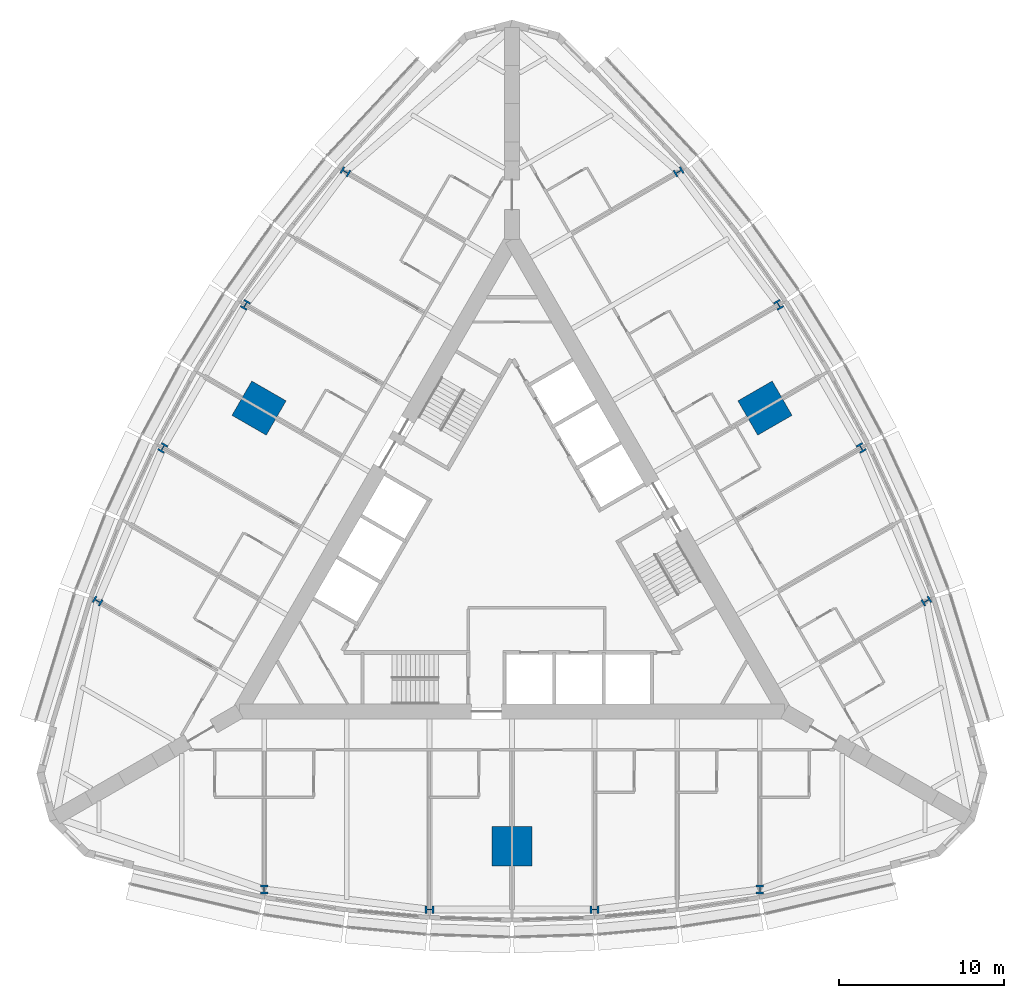
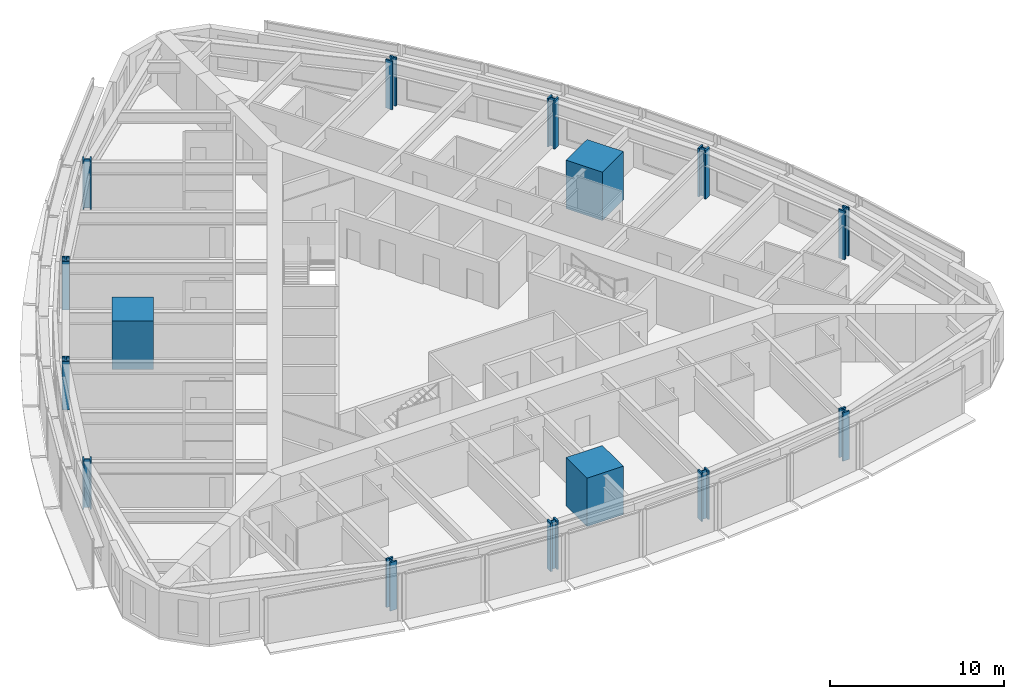
# One storey, part 1 of 14: 15 columns.
"""IFC4 building model written with IfcOpenShell, lengths in metres."""

import ifcopenshell
import ifcopenshell.guid

model = None  # the IFC model being written
_history = None  # IfcOwnerHistory: only IFC2X3 demands one
_inside = {}  # id of a spatial element -> (the spatial element, [elements in it])
_under = {}  # id of a project, library or spatial element -> (it, [spatial elements below it])
_declared = {}  # id of a project -> (the project, [libraries it declares])
_typed = {}  # id of a type object -> (the type object, [elements of that type])
_made_of = {}  # id of a material, layer set ... -> (it, [elements and type objects made of it])


def new_model(schema):
    """Start an empty IFC model of exactly this schema.

    Asked for "IFC4X3", IfcOpenShell would pick the latest addendum, in which some entities
    have other attributes; the version numbers below select the first issue.
    IFC2X3 requires an IfcOwnerHistory on every rooted entity: one is made here for all.
    """
    global model, _history
    if schema == "IFC4X3":
        model = ifcopenshell.file(schema_version=(4, 3, 0, 0))
    else:
        model = ifcopenshell.file(schema=schema)
    _inside.clear()
    _under.clear()
    _declared.clear()
    _typed.clear()
    _made_of.clear()
    _history = None
    if model.schema == "IFC2X3":
        org = make("IfcOrganization", Name="unknown")
        user = make(
            "IfcPersonAndOrganization",
            ThePerson=make("IfcPerson", FamilyName="unknown"),
            TheOrganization=org,
        )
        app = make(
            "IfcApplication",
            ApplicationDeveloper=org,
            Version="unknown",
            ApplicationFullName="unknown",
            ApplicationIdentifier="unknown",
        )
        _history = make(
            "IfcOwnerHistory",
            OwningUser=user,
            OwningApplication=app,
            ChangeAction="ADDED",
            CreationDate=0,
        )
    return model


def make(cls, **values):
    """One entity of the class cls with the attributes given. An attribute that is None is left unset."""
    return model.create_entity(
        cls, **{name: value for name, value in values.items() if value is not None}
    )


def rooted(cls, **values):
    """An entity with a GlobalId (a new one), such as an element, a storey or a relation."""
    return make(cls, GlobalId=ifcopenshell.guid.new(), OwnerHistory=_history, **values)


def si_unit(unit_type, name, prefix=None):
    """IfcSIUnit, for example si_unit("LENGTHUNIT", "METRE", prefix="MILLI")."""
    return make("IfcSIUnit", UnitType=unit_type, Prefix=prefix, Name=name)


def assignment(units):
    """IfcUnitAssignment: the units of a project."""
    return None if units is None else make("IfcUnitAssignment", Units=units)


def point(xyz):
    """IfcCartesianPoint."""
    return None if xyz is None else make("IfcCartesianPoint", Coordinates=xyz)


def direction(xyz):
    """IfcDirection."""
    return None if xyz is None else make("IfcDirection", DirectionRatios=xyz)


def frame(location, z_axis=None, x_axis=None):
    """IfcAxis2Placement3D, a coordinate frame: its origin and axes. An axis left out is left unset."""
    return make(
        "IfcAxis2Placement3D",
        Location=point(location),
        Axis=direction(z_axis),
        RefDirection=direction(x_axis),
    )


def frame_2d(location, x_axis=None):
    """IfcAxis2Placement2D, a coordinate frame in the plane: its origin and x axis."""
    return make(
        "IfcAxis2Placement2D", Location=point(location), RefDirection=direction(x_axis)
    )


def origin():
    """The frame at (0, 0, 0) with its axes left unset."""
    return frame((0.0, 0.0, 0.0))


def origin_2d():
    """The frame at (0, 0) in the plane with its x axis left unset."""
    return frame_2d((0.0, 0.0))


def place(relative_to, where):
    """IfcLocalPlacement: puts the frame where relative to a parent placement (None: the world)."""
    return make(
        "IfcLocalPlacement", PlacementRelTo=relative_to, RelativePlacement=where
    )


def context(
    kind, dimensions, precision=None, world=None, true_north=None, identifier=None
):
    """IfcGeometricRepresentationContext, for example the 3D "Model" context."""
    return make(
        "IfcGeometricRepresentationContext",
        ContextIdentifier=identifier,
        ContextType=kind,
        CoordinateSpaceDimension=dimensions,
        Precision=precision,
        WorldCoordinateSystem=world,
        TrueNorth=true_north,
    )


def subcontext(parent, identifier, kind, view, scale=None):
    """IfcGeometricRepresentationSubContext, for example "Body" below "Model"."""
    return make(
        "IfcGeometricRepresentationSubContext",
        ContextIdentifier=identifier,
        ContextType=kind,
        ParentContext=parent,
        TargetScale=scale,
        TargetView=view,
    )


def project(units=None, contexts=None):
    """IfcProject with its units and contexts."""
    return rooted(
        "IfcProject",
        Name="project",
        RepresentationContexts=contexts,
        UnitsInContext=assignment(units),
    )


def spatial(cls, under=None, at=None, **own):
    """A site, building, storey or space (cls), placed at a placement, below another one or the project."""
    s = rooted(cls, ObjectPlacement=at, **own)
    if under is not None:
        _under.setdefault(under.id(), (under, []))[1].append(s)
    return s


def profile(cls, at=None, kind="AREA", **sizes):
    """A parametric profile (cls). Its sizes go by their IFC names, for example OverallWidth=200.0."""
    return make(cls, ProfileType=kind, Position=at, **sizes)


def rectangle(**sizes):
    """IfcRectangleProfileDef."""
    return profile("IfcRectangleProfileDef", **sizes)


def i_section(**sizes):
    """IfcIShapeProfileDef."""
    return profile("IfcIShapeProfileDef", **sizes)


def extrude(swept, where, along, depth):
    """IfcExtrudedAreaSolid: the profile swept, set in the frame where, extruded along a direction by depth."""
    return make(
        "IfcExtrudedAreaSolid",
        SweptArea=swept,
        Position=where,
        ExtrudedDirection=direction(along),
        Depth=depth,
    )


def shape(context_of_items, identifier, shape_type, items):
    """IfcShapeRepresentation: the items that make up one representation, for example the "Body"."""
    return make(
        "IfcShapeRepresentation",
        ContextOfItems=context_of_items,
        RepresentationIdentifier=identifier,
        RepresentationType=shape_type,
        Items=items,
    )


def material(Name=None, Category=None):
    """IfcMaterial."""
    return make("IfcMaterial", Name=Name, Category=Category)


def material_profile(
    of_material, cross_section, Name=None, Category=None, Priority=None
):
    """IfcMaterialProfile: a cross section and its material."""
    return make(
        "IfcMaterialProfile",
        Name=Name,
        Material=of_material,
        Profile=cross_section,
        Priority=Priority,
        Category=Category,
    )


def profile_set(profiles, Name=None, composite=None):
    """IfcMaterialProfileSet."""
    return make(
        "IfcMaterialProfileSet",
        Name=Name,
        MaterialProfiles=profiles,
        CompositeProfile=composite,
    )


def made_of(thing, what):
    """Note that an element or type object is made of a material, layer set ...; save() writes the relation."""
    if what is not None:
        _made_of.setdefault(what.id(), (what, []))[1].append(thing)
    return thing


def type_object(cls, material=None, **own):
    """A type object (cls), such as IfcWallType, which elements share."""
    return made_of(rooted(cls, **own), material)


def element(
    cls,
    number,
    at=None,
    inside=None,
    cuts=None,
    type_object=None,
    material=None,
    context=None,
    identifier="Body",
    shape_type=None,
    held_by="IfcProductDefinitionShape",
    body=None,
    shapes=None,
    **own,
):
    """One element of the class cls, such as IfcWall. Its Tag is "e" and its number.

    at: its placement. inside: the storey or other place that contains it. cuts: it is an
    opening in that element (IfcRelVoidsElement). A single representation is given by context,
    identifier, shape_type and body (its items); several are given by shapes. held_by: the class
    of the entity that holds the representations. save() writes the other relations.
    """
    e = rooted(cls, Tag="e%d" % number, ObjectPlacement=at, **own)
    if body is not None:
        shapes = [shape(context, identifier, shape_type, body)]
    if shapes is not None:
        e.Representation = make(held_by, Representations=shapes)
    if inside is not None:
        _inside.setdefault(inside.id(), (inside, []))[1].append(e)
    if cuts is not None:
        rooted(
            "IfcRelVoidsElement", RelatingBuildingElement=cuts, RelatedOpeningElement=e
        )
    if type_object is not None:
        _typed.setdefault(type_object.id(), (type_object, []))[1].append(e)
    return made_of(e, material)


def aggregate(whole, parts):
    """IfcRelAggregates: a whole, such as a stair, and the parts it consists of."""
    return rooted("IfcRelAggregates", RelatingObject=whole, RelatedObjects=parts)


def save(model, path):
    """Write the relations noted so far, then the file.

    IfcRelAggregates (storeys below a building ...), IfcRelContainedInSpatialStructure (elements
    in a storey), IfcRelDefinesByType, IfcRelAssociatesMaterial and IfcRelDeclares: one each for
    every whole, place, type object, material and project.
    """
    for whole, parts in _under.values():
        aggregate(whole, parts)
    for where, things in _inside.values():
        rooted(
            "IfcRelContainedInSpatialStructure",
            RelatedElements=things,
            RelatingStructure=where,
        )
    for kind, things in _typed.values():
        rooted("IfcRelDefinesByType", RelatedObjects=things, RelatingType=kind)
    for what, things in _made_of.values():
        rooted("IfcRelAssociatesMaterial", RelatedObjects=things, RelatingMaterial=what)
    for by, libraries in _declared.values():
        rooted("IfcRelDeclares", RelatingContext=by, RelatedDefinitions=libraries)
    model.write(path)


model = new_model("IFC4")

# Units and contexts
model_context = context("Model", 3, precision=1e-05, world=origin(), true_north=direction((0.0, 1.0)))
body_context = subcontext(model_context, "Body", "Model", "MODEL_VIEW")
ifc_project = project(units=[si_unit("LENGTHUNIT", "METRE"), si_unit("AREAUNIT", "SQUARE_METRE"), si_unit("VOLUMEUNIT", "CUBIC_METRE"), si_unit("PLANEANGLEUNIT", "RADIAN"), si_unit("MASSUNIT", "GRAM", prefix="KILO")], contexts=[model_context])

# Site, building, storey
site_placement = place(None, origin())
site = spatial("IfcSite", under=ifc_project, at=site_placement, CompositionType="ELEMENT")
building_placement = place(site_placement, origin())
building = spatial("IfcBuilding", under=site, at=building_placement, Name="Trikona Tower", CompositionType="ELEMENT")
storey_placement = place(building_placement, frame((0.0, 0.0, 82.89990234375)))
storey = spatial("IfcBuildingStorey", under=building, at=storey_placement, Name="L21", CompositionType="ELEMENT", Elevation=82.89990234375)

# Columns
ifc_material_1 = material(Name="Concrete f'c 10000 psi with encased steel section", Category="concrete")
ifc_material_profile_1 = material_profile(ifc_material_1, rectangle(XDim=2.39990234375, YDim=2.39990234375, at=origin_2d()), Name="MC2400")
ifc_profile_set_1 = profile_set([ifc_material_profile_1], Name="Concrete f'c 10000 psi with encased steel section")
column_type_1 = type_object("IfcColumnType", Name="Composite mega column 2400x2400", PredefinedType="COLUMN", material=ifc_profile_set_1)
for number, where, z_axis, x_axis, name in (
    (1, (0.0, -17.680419921875, 0.0), (0.0, 0.0, 1.0), (0.0, -1.0, 0.0), "Mega column MC1"),
    (2, (15.311767578125, 8.84033203125, 0.0), (0.0, 0.0, 1.0), (0.866025403784, 0.5, 0.0), "Mega column MC2"),
    (3, (-15.311767578125, 8.84033203125, 0.0), (0.0, 0.0, 1.0), (-0.866025403784, 0.5, 0.0), "Mega column MC3"),
):
    element("IfcColumn", number, at=place(storey_placement, frame(where, z_axis=z_axis, x_axis=x_axis)), inside=storey, type_object=column_type_1, Name=name, PredefinedType="COLUMN", context=body_context, shape_type="SweptSolid", body=[
        extrude(rectangle(XDim=2.39990234375, YDim=2.39990234375, at=origin_2d()), origin(), (0.0, 0.0, 1.0), 3.400146484375),
    ])
ifc_material_2 = material(Name="Steel ASTM A992 Grade 50", Category="steel")
ifc_material_profile_2 = material_profile(ifc_material_2, i_section(OverallWidth=0.44189453125, OverallDepth=0.53076171875, WebThickness=0.06591796875, FlangeThickness=0.105712890625, at=origin_2d()), Name="W14X605")
ifc_profile_set_2 = profile_set([ifc_material_profile_2], Name="Steel ASTM A992 Grade 50")
column_type_2 = type_object("IfcColumnType", Name="Steel column W14x605", PredefinedType="COLUMN", material=ifc_profile_set_2)
for number, where, z_axis, x_axis, name in (
    (4, (-15.0, -20.302978515625, 0.0), (0.0, 0.0, 1.0), (1.0, 0.0, 0.0), "Column F0m15"),
    (5, (-5.0, -21.5205078125, 0.0), (0.0, 0.0, 1.0), (0.0, -1.0, 0.0), "Column F0m5"),
    (6, (5.0, -21.5205078125, 0.0), (0.0, 0.0, 1.0), (0.0, -1.0, 0.0), "Column F0p5"),
    (7, (15.0, -20.302978515625, 0.0), (0.0, 0.0, 1.0), (1.0, 0.0, 0.0), "Column F0p15"),
    (8, (25.0830078125, -2.8388671875, 0.0), (0.0, 0.0, 1.0), (-0.5, 0.866025403784, 0.0), "Column F1m15"),
    (9, (21.13720703125, 6.43017578125, 0.0), (0.0, 0.0, 1.0), (0.866025403784, 0.5, 0.0), "Column F1m5"),
    (10, (16.13720703125, 15.09033203125, 0.0), (0.0, 0.0, 1.0), (0.866025403784, 0.5, 0.0), "Column F1p5"),
    (11, (10.0830078125, 23.141845703125, 0.0), (0.0, 0.0, 1.0), (-0.5, 0.866025403784, 0.0), "Column F1p15"),
    (12, (-10.0830078125, 23.141845703125, 0.0), (0.0, 0.0, 1.0), (-0.5, -0.866025403784, 0.0), "Column F2m15"),
    (13, (-16.13720703125, 15.09033203125, 0.0), (0.0, 0.0, 1.0), (-0.866025403784, 0.5, 0.0), "Column F2m5"),
    (14, (-21.13720703125, 6.43017578125, 0.0), (0.0, 0.0, 1.0), (-0.866025403784, 0.5, 0.0), "Column F2p5"),
    (15, (-25.0830078125, -2.8388671875, 0.0), (0.0, 0.0, 1.0), (-0.5, -0.866025403784, 0.0), "Column F2p15"),
):
    element("IfcColumn", number, at=place(storey_placement, frame(where, z_axis=z_axis, x_axis=x_axis)), inside=storey, type_object=column_type_2, Name=name, PredefinedType="COLUMN", context=body_context, shape_type="SweptSolid", body=[
        extrude(i_section(OverallWidth=0.44189453125, OverallDepth=0.53076171875, WebThickness=0.06591796875, FlangeThickness=0.105712890625, at=origin_2d()), origin(), (0.0, 0.0, 1.0), 3.400146484375),
    ])

save(model, "model.ifc")
